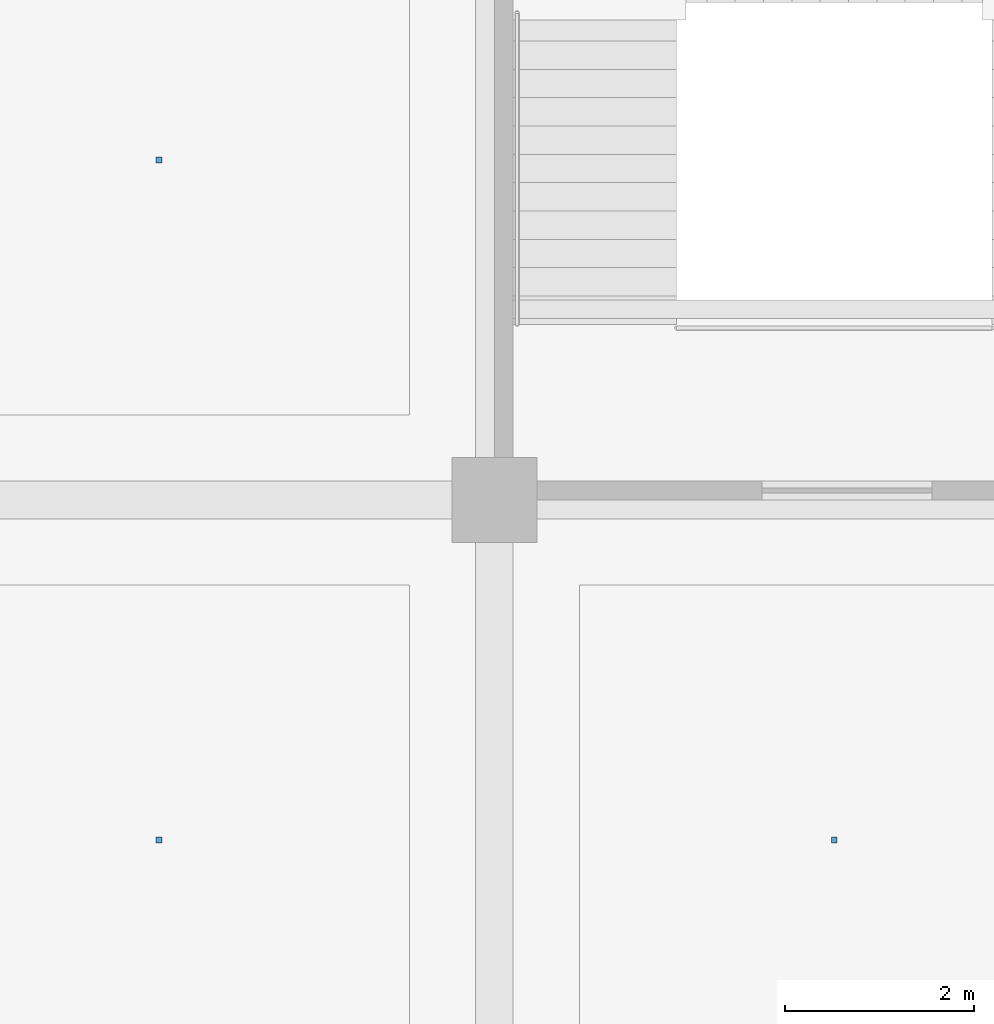
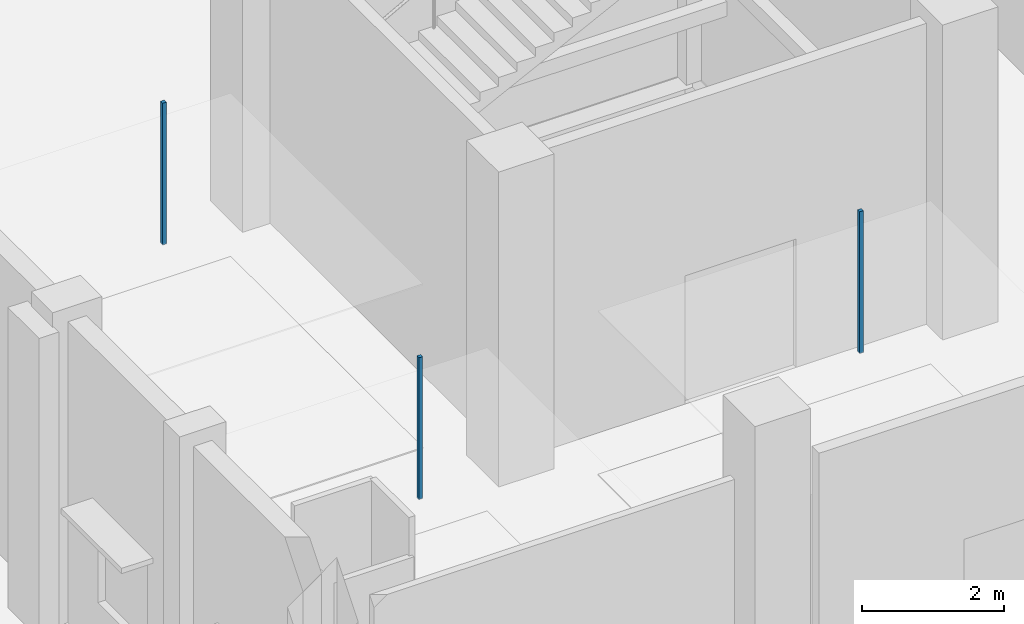
# One storey, part 71 of 90: 3 discrete accessories.
"""IFC4 building model written with IfcOpenShell, lengths in metres."""

from ifc_helpers import new_model, si_unit, direction, frame, origin, origin_2d, place, context, subcontext, project, spatial, rectangle, extrude, material, type_object, element, save


model = new_model("IFC4")

# Units and contexts
model_context = context("Model", 3, precision=1e-05, world=origin(), true_north=direction((0.0, 1.0)))
body_context = subcontext(model_context, "Body", "Model", "MODEL_VIEW")
ifc_project = project(units=[si_unit("LENGTHUNIT", "METRE"), si_unit("AREAUNIT", "SQUARE_METRE"), si_unit("VOLUMEUNIT", "CUBIC_METRE"), si_unit("PLANEANGLEUNIT", "RADIAN"), si_unit("MASSUNIT", "GRAM", prefix="KILO")], contexts=[model_context])

# Site, building, storey
site_placement = place(None, origin())
site = spatial("IfcSite", under=ifc_project, at=site_placement, CompositionType="ELEMENT")
building_placement = place(site_placement, origin())
building = spatial("IfcBuilding", under=site, at=building_placement, Name="Kangsadwip Square Police Headquarters", CompositionType="ELEMENT")
storey_placement = place(building_placement, origin())
storey = spatial("IfcBuildingStorey", under=building, at=storey_placement, Name="L00", CompositionType="ELEMENT", Elevation=0.0)

# Discrete accessories
ifc_material = material(Name="Structural steel IS 2062 E350 (Grade 350, 350 MPa)", Category="steel")
discrete_accessory_type = type_object("IfcDiscreteAccessoryType", Name="VeilOutriggerBracket", PredefinedType="BRACKET", material=ifc_material)
for number, where, z_axis, x_axis, name in (
    (1, (3.64990234375, 39.60009765625, 2.81005859375), (0.0, 0.0, 1.0), (1.0, 0.0, 0.0), "Ceiling Suspension Hanger L00-012"),
    (2, (10.800048828125, 39.60009765625, 2.81005859375), (0.0, 0.0, 1.0), (1.0, 0.0, 0.0), "Ceiling Suspension Hanger L00-013"),
    (3, (3.64990234375, 46.800048828125, 2.81005859375), (0.0, 0.0, 1.0), (1.0, 0.0, 0.0), "Ceiling Suspension Hanger L00-014"),
):
    element("IfcDiscreteAccessory", number, at=place(storey_placement, frame(where, z_axis=z_axis, x_axis=x_axis)), inside=storey, type_object=discrete_accessory_type, Name=name, PredefinedType="BRACKET", context=body_context, shape_type="SweptSolid", body=[
        extrude(rectangle(XDim=0.06005859375, YDim=0.06005859375, at=origin_2d()), origin(), (0.0, 0.0, 1.0), 2.429931640625),
    ])

save(model, "model.ifc")
